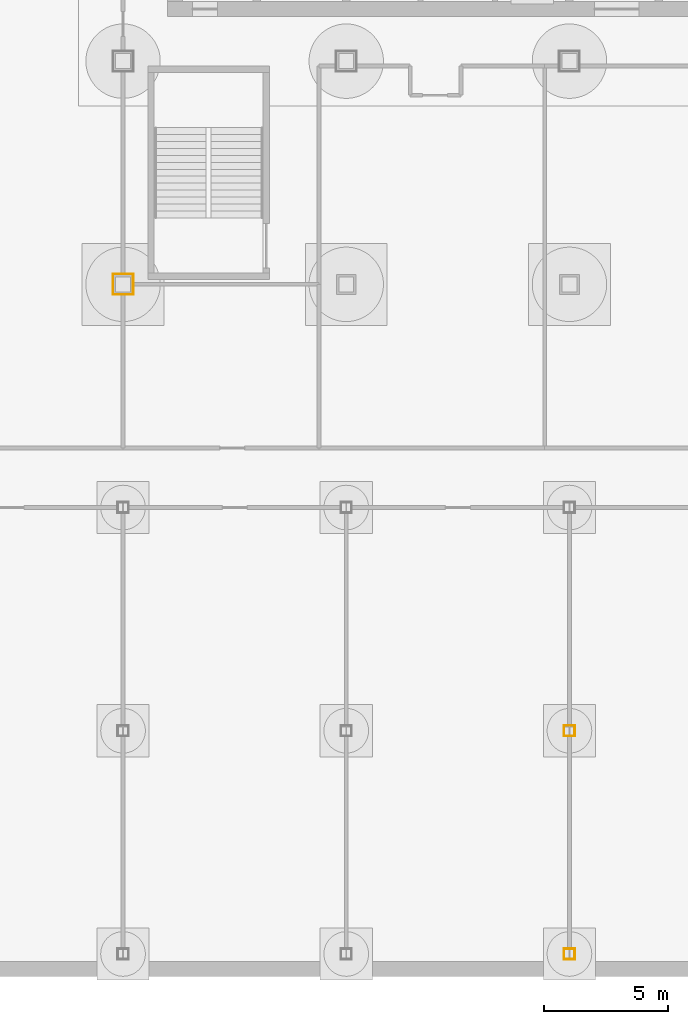
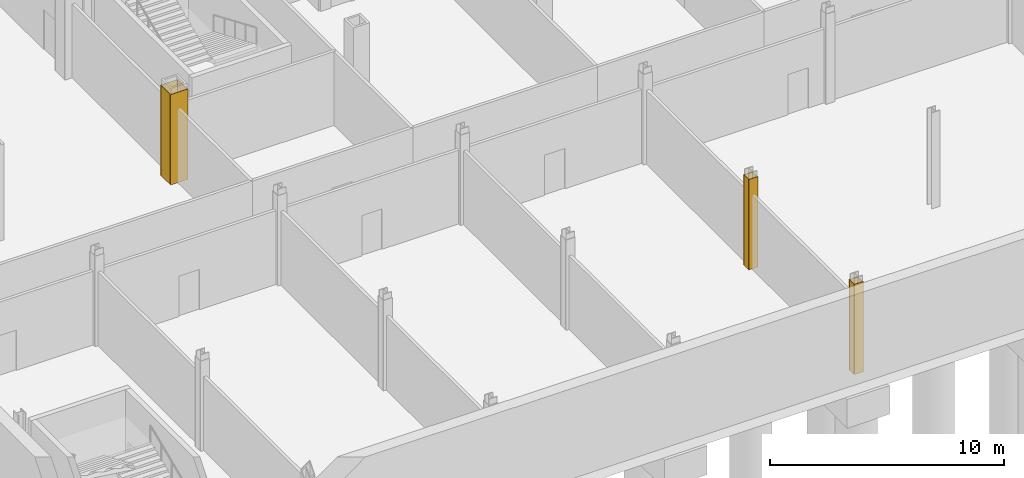
# One storey, part 17 of 28: 12 coverings.
"""IFC4 building model written with IfcOpenShell, lengths in metres."""

import ifcopenshell
import ifcopenshell.guid

model = None  # the IFC model being written
_history = None  # IfcOwnerHistory: only IFC2X3 demands one
_inside = {}  # id of a spatial element -> (the spatial element, [elements in it])
_under = {}  # id of a project, library or spatial element -> (it, [spatial elements below it])
_declared = {}  # id of a project -> (the project, [libraries it declares])
_typed = {}  # id of a type object -> (the type object, [elements of that type])
_made_of = {}  # id of a material, layer set ... -> (it, [elements and type objects made of it])


def new_model(schema):
    """Start an empty IFC model of exactly this schema.

    Asked for "IFC4X3", IfcOpenShell would pick the latest addendum, in which some entities
    have other attributes; the version numbers below select the first issue.
    IFC2X3 requires an IfcOwnerHistory on every rooted entity: one is made here for all.
    """
    global model, _history
    if schema == "IFC4X3":
        model = ifcopenshell.file(schema_version=(4, 3, 0, 0))
    else:
        model = ifcopenshell.file(schema=schema)
    _inside.clear()
    _under.clear()
    _declared.clear()
    _typed.clear()
    _made_of.clear()
    _history = None
    if model.schema == "IFC2X3":
        org = make("IfcOrganization", Name="unknown")
        user = make(
            "IfcPersonAndOrganization",
            ThePerson=make("IfcPerson", FamilyName="unknown"),
            TheOrganization=org,
        )
        app = make(
            "IfcApplication",
            ApplicationDeveloper=org,
            Version="unknown",
            ApplicationFullName="unknown",
            ApplicationIdentifier="unknown",
        )
        _history = make(
            "IfcOwnerHistory",
            OwningUser=user,
            OwningApplication=app,
            ChangeAction="ADDED",
            CreationDate=0,
        )
    return model


def make(cls, **values):
    """One entity of the class cls with the attributes given. An attribute that is None is left unset."""
    return model.create_entity(
        cls, **{name: value for name, value in values.items() if value is not None}
    )


def rooted(cls, **values):
    """An entity with a GlobalId (a new one), such as an element, a storey or a relation."""
    return make(cls, GlobalId=ifcopenshell.guid.new(), OwnerHistory=_history, **values)


def si_unit(unit_type, name, prefix=None):
    """IfcSIUnit, for example si_unit("LENGTHUNIT", "METRE", prefix="MILLI")."""
    return make("IfcSIUnit", UnitType=unit_type, Prefix=prefix, Name=name)


def assignment(units):
    """IfcUnitAssignment: the units of a project."""
    return None if units is None else make("IfcUnitAssignment", Units=units)


def point(xyz):
    """IfcCartesianPoint."""
    return None if xyz is None else make("IfcCartesianPoint", Coordinates=xyz)


def direction(xyz):
    """IfcDirection."""
    return None if xyz is None else make("IfcDirection", DirectionRatios=xyz)


def frame(location, z_axis=None, x_axis=None):
    """IfcAxis2Placement3D, a coordinate frame: its origin and axes. An axis left out is left unset."""
    return make(
        "IfcAxis2Placement3D",
        Location=point(location),
        Axis=direction(z_axis),
        RefDirection=direction(x_axis),
    )


def frame_2d(location, x_axis=None):
    """IfcAxis2Placement2D, a coordinate frame in the plane: its origin and x axis."""
    return make(
        "IfcAxis2Placement2D", Location=point(location), RefDirection=direction(x_axis)
    )


def origin():
    """The frame at (0, 0, 0) with its axes left unset."""
    return frame((0.0, 0.0, 0.0))


def origin_2d():
    """The frame at (0, 0) in the plane with its x axis left unset."""
    return frame_2d((0.0, 0.0))


def place(relative_to, where):
    """IfcLocalPlacement: puts the frame where relative to a parent placement (None: the world)."""
    return make(
        "IfcLocalPlacement", PlacementRelTo=relative_to, RelativePlacement=where
    )


def context(
    kind, dimensions, precision=None, world=None, true_north=None, identifier=None
):
    """IfcGeometricRepresentationContext, for example the 3D "Model" context."""
    return make(
        "IfcGeometricRepresentationContext",
        ContextIdentifier=identifier,
        ContextType=kind,
        CoordinateSpaceDimension=dimensions,
        Precision=precision,
        WorldCoordinateSystem=world,
        TrueNorth=true_north,
    )


def subcontext(parent, identifier, kind, view, scale=None):
    """IfcGeometricRepresentationSubContext, for example "Body" below "Model"."""
    return make(
        "IfcGeometricRepresentationSubContext",
        ContextIdentifier=identifier,
        ContextType=kind,
        ParentContext=parent,
        TargetScale=scale,
        TargetView=view,
    )


def project(units=None, contexts=None):
    """IfcProject with its units and contexts."""
    return rooted(
        "IfcProject",
        Name="project",
        RepresentationContexts=contexts,
        UnitsInContext=assignment(units),
    )


def spatial(cls, under=None, at=None, **own):
    """A site, building, storey or space (cls), placed at a placement, below another one or the project."""
    s = rooted(cls, ObjectPlacement=at, **own)
    if under is not None:
        _under.setdefault(under.id(), (under, []))[1].append(s)
    return s


def profile(cls, at=None, kind="AREA", **sizes):
    """A parametric profile (cls). Its sizes go by their IFC names, for example OverallWidth=200.0."""
    return make(cls, ProfileType=kind, Position=at, **sizes)


def rectangle(**sizes):
    """IfcRectangleProfileDef."""
    return profile("IfcRectangleProfileDef", **sizes)


def extrude(swept, where, along, depth):
    """IfcExtrudedAreaSolid: the profile swept, set in the frame where, extruded along a direction by depth."""
    return make(
        "IfcExtrudedAreaSolid",
        SweptArea=swept,
        Position=where,
        ExtrudedDirection=direction(along),
        Depth=depth,
    )


def shape(context_of_items, identifier, shape_type, items):
    """IfcShapeRepresentation: the items that make up one representation, for example the "Body"."""
    return make(
        "IfcShapeRepresentation",
        ContextOfItems=context_of_items,
        RepresentationIdentifier=identifier,
        RepresentationType=shape_type,
        Items=items,
    )


def material(Name=None, Category=None):
    """IfcMaterial."""
    return make("IfcMaterial", Name=Name, Category=Category)


def layer(
    of_material, thickness, ventilated=None, Name=None, Category=None, Priority=None
):
    """IfcMaterialLayer: one layer of a wall or slab, of a material (None: an air gap)."""
    return make(
        "IfcMaterialLayer",
        Material=of_material,
        LayerThickness=thickness,
        IsVentilated=ventilated,
        Name=Name,
        Category=Category,
        Priority=Priority,
    )


def layer_set(layers, Name=None):
    """IfcMaterialLayerSet."""
    return make("IfcMaterialLayerSet", MaterialLayers=layers, LayerSetName=Name)


def made_of(thing, what):
    """Note that an element or type object is made of a material, layer set ...; save() writes the relation."""
    if what is not None:
        _made_of.setdefault(what.id(), (what, []))[1].append(thing)
    return thing


def type_object(cls, material=None, **own):
    """A type object (cls), such as IfcWallType, which elements share."""
    return made_of(rooted(cls, **own), material)


def element(
    cls,
    number,
    at=None,
    inside=None,
    cuts=None,
    type_object=None,
    material=None,
    context=None,
    identifier="Body",
    shape_type=None,
    held_by="IfcProductDefinitionShape",
    body=None,
    shapes=None,
    **own,
):
    """One element of the class cls, such as IfcWall. Its Tag is "e" and its number.

    at: its placement. inside: the storey or other place that contains it. cuts: it is an
    opening in that element (IfcRelVoidsElement). A single representation is given by context,
    identifier, shape_type and body (its items); several are given by shapes. held_by: the class
    of the entity that holds the representations. save() writes the other relations.
    """
    e = rooted(cls, Tag="e%d" % number, ObjectPlacement=at, **own)
    if body is not None:
        shapes = [shape(context, identifier, shape_type, body)]
    if shapes is not None:
        e.Representation = make(held_by, Representations=shapes)
    if inside is not None:
        _inside.setdefault(inside.id(), (inside, []))[1].append(e)
    if cuts is not None:
        rooted(
            "IfcRelVoidsElement", RelatingBuildingElement=cuts, RelatedOpeningElement=e
        )
    if type_object is not None:
        _typed.setdefault(type_object.id(), (type_object, []))[1].append(e)
    return made_of(e, material)


def aggregate(whole, parts):
    """IfcRelAggregates: a whole, such as a stair, and the parts it consists of."""
    return rooted("IfcRelAggregates", RelatingObject=whole, RelatedObjects=parts)


def save(model, path):
    """Write the relations noted so far, then the file.

    IfcRelAggregates (storeys below a building ...), IfcRelContainedInSpatialStructure (elements
    in a storey), IfcRelDefinesByType, IfcRelAssociatesMaterial and IfcRelDeclares: one each for
    every whole, place, type object, material and project.
    """
    for whole, parts in _under.values():
        aggregate(whole, parts)
    for where, things in _inside.values():
        rooted(
            "IfcRelContainedInSpatialStructure",
            RelatedElements=things,
            RelatingStructure=where,
        )
    for kind, things in _typed.values():
        rooted("IfcRelDefinesByType", RelatedObjects=things, RelatingType=kind)
    for what, things in _made_of.values():
        rooted("IfcRelAssociatesMaterial", RelatedObjects=things, RelatingMaterial=what)
    for by, libraries in _declared.values():
        rooted("IfcRelDeclares", RelatingContext=by, RelatedDefinitions=libraries)
    model.write(path)


model = new_model("IFC4")

# Units and contexts
model_context = context("Model", 3, precision=1e-05, world=origin(), true_north=direction((0.0, 1.0)))
body_context = subcontext(model_context, "Body", "Model", "MODEL_VIEW")
ifc_project = project(units=[si_unit("LENGTHUNIT", "METRE"), si_unit("AREAUNIT", "SQUARE_METRE"), si_unit("VOLUMEUNIT", "CUBIC_METRE"), si_unit("PLANEANGLEUNIT", "RADIAN"), si_unit("MASSUNIT", "GRAM", prefix="KILO")], contexts=[model_context])

# Site, building, storey
site_placement = place(None, origin())
site = spatial("IfcSite", under=ifc_project, at=site_placement, CompositionType="ELEMENT")
building_placement = place(site_placement, origin())
building = spatial("IfcBuilding", under=site, at=building_placement, Name="Loomwork Tower", CompositionType="ELEMENT")
storey_placement = place(building_placement, frame((0.0, 0.0, -10.5)))
storey = spatial("IfcBuildingStorey", under=building, at=storey_placement, Name="B2", CompositionType="ELEMENT", Elevation=-10.5)

# Coverings
ifc_material = material(Name="Two-hour fire-rated gypsum board casing")
ifc_layer = layer(ifc_material, 0.02490234375)
ifc_layer_set = layer_set([ifc_layer], Name="Column fire casing 25")
covering_type = type_object("IfcCoveringType", Name="Column fire casing 25", PredefinedType="CLADDING", material=ifc_layer_set)
for number, where, z_axis, x_axis, name in (
    (1, (9.0, 0.41259765625, 0.0), (0.0, 0.0, 1.0), (1.0, 0.0, 0.0), "Column casing 9 0 B2"),
    (2, (9.0, -0.41259765625, 0.0), (0.0, 0.0, 1.0), (1.0, 0.0, 0.0), "Column casing 9 0 B2"),
):
    element("IfcCovering", number, at=place(storey_placement, frame(where, z_axis=z_axis, x_axis=x_axis)), inside=storey, type_object=covering_type, Name=name, PredefinedType="CLADDING", context=body_context, shape_type="SweptSolid", body=[
        extrude(rectangle(XDim=0.85009765625, YDim=0.02490234375, at=origin_2d()), origin(), (0.0, 0.0, 1.0), 4.699951171875),
    ])
for number, where, z_axis, x_axis, name in (
    (3, (9.41259765625, 0.0, 0.0), (0.0, 0.0, 1.0), (1.0, 0.0, 0.0), "Column casing 9 0 B2"),
    (4, (8.58740234375, 0.0, 0.0), (0.0, 0.0, 1.0), (1.0, 0.0, 0.0), "Column casing 9 0 B2"),
):
    element("IfcCovering", number, at=place(storey_placement, frame(where, z_axis=z_axis, x_axis=x_axis)), inside=storey, type_object=covering_type, Name=name, PredefinedType="CLADDING", context=body_context, shape_type="SweptSolid", body=[
        extrude(rectangle(XDim=0.02490234375, YDim=0.800048828125, at=origin_2d()), origin(), (0.0, 0.0, 1.0), 4.699951171875),
    ])
for number, where, z_axis, x_axis, name in (
    (5, (27.0, -26.7880859375, 0.0), (0.0, 0.0, 1.0), (1.0, 0.0, 0.0), "Column casing 27 -27 B2"),
    (6, (27.0, -27.2119140625, 0.0), (0.0, 0.0, 1.0), (1.0, 0.0, 0.0), "Column casing 27 -27 B2"),
):
    element("IfcCovering", number, at=place(storey_placement, frame(where, z_axis=z_axis, x_axis=x_axis)), inside=storey, type_object=covering_type, Name=name, PredefinedType="CLADDING", context=body_context, shape_type="SweptSolid", body=[
        extrude(rectangle(XDim=0.451416015625, YDim=0.02490234375, at=origin_2d()), origin(), (0.0, 0.0, 1.0), 4.699951171875),
    ])
for number, where, z_axis, x_axis, name in (
    (7, (27.213134765625, -27.0, 0.0), (0.0, 0.0, 1.0), (1.0, 0.0, 0.0), "Column casing 27 -27 B2"),
    (8, (26.786865234375, -27.0, 0.0), (0.0, 0.0, 1.0), (1.0, 0.0, 0.0), "Column casing 27 -27 B2"),
):
    element("IfcCovering", number, at=place(storey_placement, frame(where, z_axis=z_axis, x_axis=x_axis)), inside=storey, type_object=covering_type, Name=name, PredefinedType="CLADDING", context=body_context, shape_type="SweptSolid", body=[
        extrude(rectangle(XDim=0.02490234375, YDim=0.398681640625, at=origin_2d()), origin(), (0.0, 0.0, 1.0), 4.699951171875),
    ])
for number, where, z_axis, x_axis, name in (
    (9, (27.0, -17.7880859375, 0.0), (0.0, 0.0, 1.0), (1.0, 0.0, 0.0), "Column casing 27 -18 B2"),
    (10, (27.0, -18.2119140625, 0.0), (0.0, 0.0, 1.0), (1.0, 0.0, 0.0), "Column casing 27 -18 B2"),
):
    element("IfcCovering", number, at=place(storey_placement, frame(where, z_axis=z_axis, x_axis=x_axis)), inside=storey, type_object=covering_type, Name=name, PredefinedType="CLADDING", context=body_context, shape_type="SweptSolid", body=[
        extrude(rectangle(XDim=0.451416015625, YDim=0.02490234375, at=origin_2d()), origin(), (0.0, 0.0, 1.0), 4.699951171875),
    ])
for number, where, z_axis, x_axis, name in (
    (11, (27.213134765625, -18.0, 0.0), (0.0, 0.0, 1.0), (1.0, 0.0, 0.0), "Column casing 27 -18 B2"),
    (12, (26.786865234375, -18.0, 0.0), (0.0, 0.0, 1.0), (1.0, 0.0, 0.0), "Column casing 27 -18 B2"),
):
    element("IfcCovering", number, at=place(storey_placement, frame(where, z_axis=z_axis, x_axis=x_axis)), inside=storey, type_object=covering_type, Name=name, PredefinedType="CLADDING", context=body_context, shape_type="SweptSolid", body=[
        extrude(rectangle(XDim=0.02490234375, YDim=0.398681640625, at=origin_2d()), origin(), (0.0, 0.0, 1.0), 4.699951171875),
    ])

save(model, "model.ifc")
